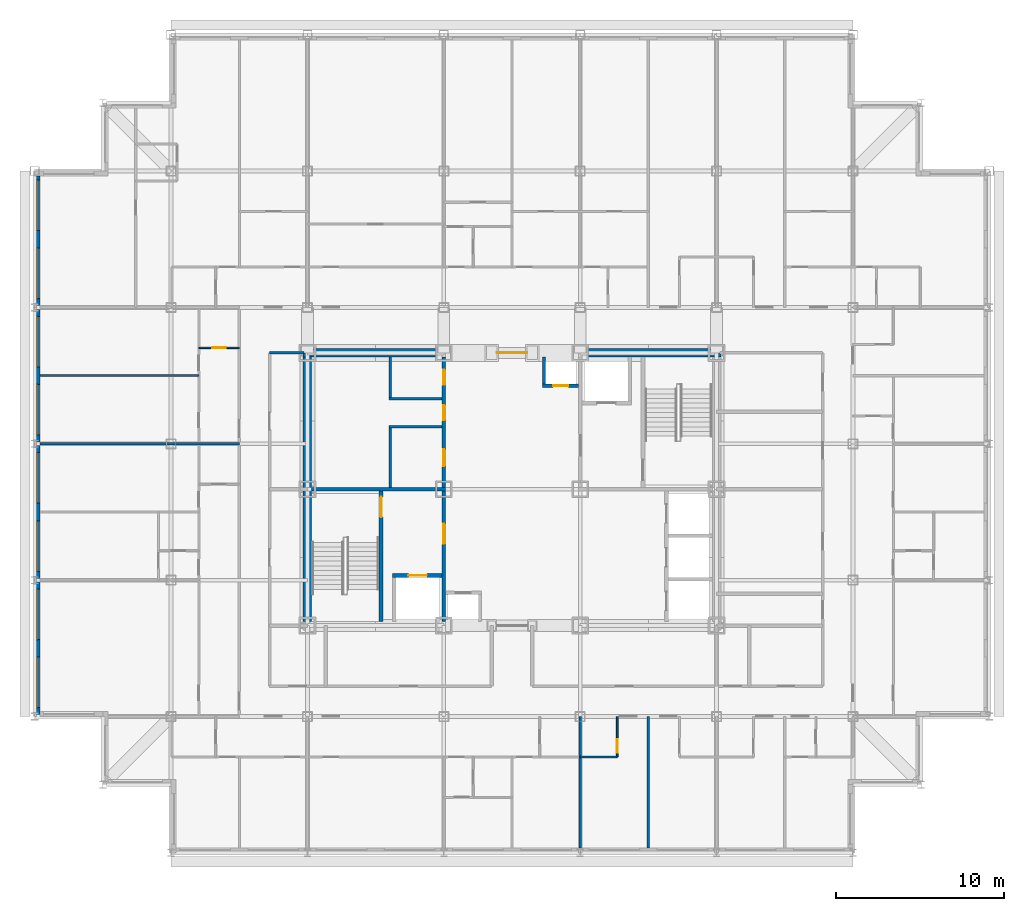
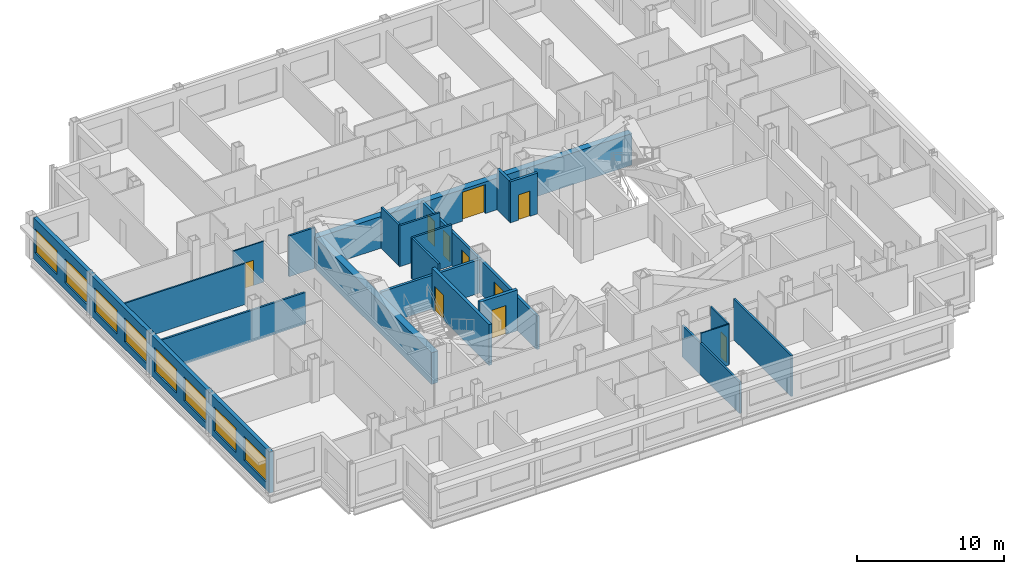
# One storey, part 6 of 12: 22 walls, 10 doors, 8 windows, 18 openings.
"""IFC4 building model written with IfcOpenShell, lengths in metres."""

from ifc_helpers import new_model, si_unit, direction, frame, frame_2d, origin, place, context, subcontext, project, spatial, rectangle, extrude, material, layer, layer_set, type_object, element, fill, save


model = new_model("IFC4")

# Units and contexts
model_context = context("Model", 3, precision=1e-05, world=origin(), true_north=direction((0.0, 1.0)))
body_context = subcontext(model_context, "Body", "Model", "MODEL_VIEW")
ifc_project = project(units=[si_unit("LENGTHUNIT", "METRE"), si_unit("AREAUNIT", "SQUARE_METRE"), si_unit("VOLUMEUNIT", "CUBIC_METRE"), si_unit("PLANEANGLEUNIT", "RADIAN"), si_unit("MASSUNIT", "GRAM", prefix="KILO")], contexts=[model_context])

# Site, building, storey
site_placement = place(None, origin())
site = spatial("IfcSite", under=ifc_project, at=site_placement, CompositionType="ELEMENT")
building_placement = place(site_placement, origin())
building = spatial("IfcBuilding", under=site, at=building_placement, Name="Kopane Lantern Tower", CompositionType="ELEMENT")
storey_placement = place(building_placement, frame((0.0, 0.0, 220.800048828125)))
storey = spatial("IfcBuildingStorey", under=building, at=storey_placement, Name="L57", CompositionType="ELEMENT", Elevation=220.800048828125)

# Walls
ifc_material_1 = material(Name="Gypsum board on steel studs", Category="steel")
ifc_layer_1 = layer(ifc_material_1, 0.1201171875)
ifc_layer_set_1 = layer_set([ifc_layer_1], Name="APARTMENT INTERNAL WALL 120")
wall_type_1 = type_object("IfcWallType", Name="APARTMENT INTERNAL WALL 120", PredefinedType="PARTITIONING", material=ifc_layer_set_1)
wall_1_placement = place(storey_placement, frame((9.75, 39.14990234375, 0.0), z_axis=(0.0, 0.0, 1.0), x_axis=(-1.0, 0.0, 0.0)))
element("IfcWall", 1, at=wall_1_placement, inside=storey, type_object=wall_type_1, Name="Apartment Internal Wall 120 L57", PredefinedType="PARTITIONING", context=body_context, shape_type="SweptSolid", body=[
    extrude(rectangle(XDim=9.449951171875, YDim=0.1201171875, at=frame_2d((4.72509765625, 0.0))), origin(), (0.0, 0.0, 1.0), 3.389892578125),
])
ifc_material_2 = material(Name="Moisture-resistant board on steel studs", Category="steel")
ifc_layer_2 = layer(ifc_material_2, 0.10009765625)
ifc_layer_set_2 = layer_set([ifc_layer_2], Name="BATHROOM WALL 100")
wall_type_2 = type_object("IfcWallType", Name="BATHROOM WALL 100", PredefinedType="PARTITIONING", material=ifc_layer_set_2)
wall_2_placement = place(storey_placement, frame((32.39990234375, 16.5, 0.0), z_axis=(0.0, 0.0, 1.0), x_axis=(1.0, 0.0, 0.0)))
element("IfcWall", 2, at=wall_2_placement, inside=storey, type_object=wall_type_2, Name="Bathroom Wall 100 L57", PredefinedType="PARTITIONING", context=body_context, shape_type="SweptSolid", body=[
    extrude(rectangle(XDim=2.2001953125, YDim=0.10009765625, at=frame_2d((1.10009765625, 0.0))), origin(), (0.0, 0.0, 1.0), 3.389892578125),
])

# Wall, opening, door
wall_3_placement = place(storey_placement, frame((34.60009765625, 18.89990234375, 0.0), z_axis=(0.0, 0.0, 1.0), x_axis=(0.0, -1.0, 0.0)))
wall_3 = element("IfcWall", 3, at=wall_3_placement, inside=storey, type_object=wall_type_2, Name="Bathroom Wall 100 L57", PredefinedType="PARTITIONING", context=body_context, shape_type="SweptSolid", body=[
    extrude(rectangle(XDim=2.39990234375, YDim=0.10009765625, at=frame_2d((1.199951171875, 0.0))), origin(), (0.0, 0.0, 1.0), 3.389892578125),
])
opening_1_placement = place(wall_3_placement, frame((1.35009765625, 0.0, 0.0)))
opening_1 = element("IfcOpeningElement", 4, at=opening_1_placement, cuts=wall_3, Name="Opening L57-018", PredefinedType="OPENING", context=body_context, shape_type="SweptSolid", body=[
    extrude(rectangle(XDim=0.800048828125, YDim=2.10009765625, at=frame_2d((0.39990234375, 1.050048828125))), frame((0.0, 0.06005859375, 0.0), z_axis=(0.0, -1.0, 0.0), x_axis=(1.0, 0.0, 0.0)), (0.0, 0.0, 1.0), 0.1201171875),
])
ifc_material_3 = material(Name="Timber door set", Category="wood")
door_type_1 = type_object("IfcDoorType", Name="DOOR D2 800x2100", OperationType="SINGLE_SWING_LEFT", PredefinedType="DOOR", material=ifc_material_3)
door_1_placement = place(opening_1_placement, origin())
door_1 = element("IfcDoor", 5, at=door_1_placement, inside=storey, type_object=door_type_1, Name="Door L57-018", OperationType="SINGLE_SWING_LEFT", OverallHeight=2.10009765625, OverallWidth=0.800048828125, PredefinedType="DOOR", context=body_context, shape_type="SweptSolid", body=[
    extrude(rectangle(XDim=0.800048828125, YDim=2.10009765625, at=frame_2d((0.39990234375, 1.050048828125))), frame((0.0, 0.02490234375, 0.0), z_axis=(0.0, -1.0, 0.0), x_axis=(1.0, 0.0, 0.0)), (0.0, 0.0, 1.0), 0.050048828125),
])
fill(opening_1, door_1)

wall_4_placement = place(storey_placement, frame((12.14990234375, 40.800048828125, 0.0), z_axis=(0.0, 0.0, 1.0), x_axis=(-1.0, 0.0, 0.0)))
wall_4 = element("IfcWall", 6, at=wall_4_placement, inside=storey, type_object=wall_type_2, Name="Bathroom Wall 100 L57", PredefinedType="PARTITIONING", context=body_context, shape_type="SweptSolid", body=[
    extrude(rectangle(XDim=2.39990234375, YDim=0.10009765625, at=frame_2d((1.199951171875, 0.0))), origin(), (0.0, 0.0, 1.0), 3.389892578125),
])
opening_2_placement = place(wall_4_placement, frame((0.800048828125, 0.0, 0.0)))
opening_2 = element("IfcOpeningElement", 7, at=opening_2_placement, cuts=wall_4, Name="Opening L57-041", PredefinedType="OPENING", context=body_context, shape_type="SweptSolid", body=[
    extrude(rectangle(XDim=0.800048828125, YDim=2.10009765625, at=frame_2d((0.39990234375, 1.050048828125))), frame((0.0, 0.06005859375, 0.0), z_axis=(0.0, -1.0, 0.0), x_axis=(1.0, 0.0, 0.0)), (0.0, 0.0, 1.0), 0.1201171875),
])
door_2_placement = place(opening_2_placement, origin())
door_2 = element("IfcDoor", 8, at=door_2_placement, inside=storey, type_object=door_type_1, Name="Door L57-041", OperationType="SINGLE_SWING_RIGHT", OverallHeight=2.10009765625, OverallWidth=0.800048828125, PredefinedType="DOOR", context=body_context, shape_type="SweptSolid", body=[
    extrude(rectangle(XDim=0.800048828125, YDim=2.10009765625, at=frame_2d((0.39990234375, 1.050048828125))), frame((0.0, 0.02490234375, 0.0), z_axis=(0.0, -1.0, 0.0), x_axis=(1.0, 0.0, 0.0)), (0.0, 0.0, 1.0), 0.050048828125),
])
fill(opening_2, door_2)

ifc_material_4 = material(Name="Gypsum shaft wall EI 120", Category="gypsum")
ifc_layer_3 = layer(ifc_material_4, 0.5)
ifc_layer_set_3 = layer_set([ifc_layer_3], Name="CORE PERIMETER WALL 500 EI 120")
wall_type_3 = type_object("IfcWallType", Name="CORE PERIMETER WALL 500 EI 120", PredefinedType="SOLIDWALL", material=ifc_layer_set_3)
wall_5_placement = place(storey_placement, frame((15.949951171875, 40.5, 0.0), z_axis=(0.0, 0.0, 1.0), x_axis=(1.0, 0.0, 0.0)))
wall_5 = element("IfcWall", 9, at=wall_5_placement, inside=storey, type_object=wall_type_3, Name="Core shaft wall L57 PN", PredefinedType="SOLIDWALL", context=body_context, shape_type="SweptSolid", body=[
    extrude(rectangle(XDim=24.800048828125, YDim=0.5, at=frame_2d((12.39990234375, 0.0))), origin(), (0.0, 0.0, 1.0), 2.627685546875),
])
opening_3_placement = place(wall_5_placement, frame((11.5, 0.0, 0.0)))
opening_3 = element("IfcOpeningElement", 10, at=opening_3_placement, cuts=wall_5, Name="Opening 57.CE-N", PredefinedType="OPENING", context=body_context, shape_type="SweptSolid", body=[
    extrude(rectangle(XDim=1.800048828125, YDim=2.39990234375, at=frame_2d((0.89990234375, 1.199951171875))), frame((0.0, 0.260009765625, 0.0), z_axis=(0.0, -1.0, 0.0), x_axis=(1.0, 0.0, 0.0)), (0.0, 0.0, 1.0), 0.52001953125),
])
ifc_material_5 = material(Name="Steel door set", Category="steel")
door_type_2 = type_object("IfcDoorType", Name="CORE ENTRY DOOR 1800x2400 FD60S", OperationType="DOUBLE_DOOR_SINGLE_SWING", PredefinedType="DOOR", material=ifc_material_5)
door_3_placement = place(opening_3_placement, origin())
door_3 = element("IfcDoor", 11, at=door_3_placement, inside=storey, type_object=door_type_2, Name="Core entry door L57 north", OperationType="DOUBLE_DOOR_SINGLE_SWING", OverallHeight=2.39990234375, OverallWidth=1.800048828125, PredefinedType="DOOR", context=body_context, shape_type="SweptSolid", body=[
    extrude(rectangle(XDim=1.800048828125, YDim=2.39990234375, at=frame_2d((0.89990234375, 1.199951171875))), frame((0.0, 0.02490234375, 0.0), z_axis=(0.0, -1.0, 0.0), x_axis=(1.0, 0.0, 0.0)), (0.0, 0.0, 1.0), 0.050048828125),
])
fill(opening_3, door_3)

# Walls
wall_6_placement = place(storey_placement, frame((16.199951171875, 24.550048828125, 0.0), z_axis=(0.0, 0.0, 1.0), x_axis=(0.0, 1.0, 0.0)))
element("IfcWall", 12, at=wall_6_placement, inside=storey, type_object=wall_type_3, Name="Core shaft wall L57 PW", PredefinedType="SOLIDWALL", context=body_context, shape_type="SweptSolid", body=[
    extrude(rectangle(XDim=15.699951171875, YDim=0.5, at=frame_2d((7.85009765625, 0.0))), origin(), (0.0, 0.0, 1.0), 2.627685546875),
])
ifc_material_6 = material(Name="Gypsum partition EI 60", Category="gypsum")
ifc_layer_4 = layer(ifc_material_6, 0.14990234375)
ifc_layer_set_4 = layer_set([ifc_layer_4], Name="CORE ROOM PARTITION 150 EI 60")
wall_type_4 = type_object("IfcWallType", Name="CORE ROOM PARTITION 150 EI 60", PredefinedType="PARTITIONING", material=ifc_layer_set_4)
for number, where, z_axis, x_axis, name in (
    (13, (21.050048828125, 36.125, 0.0), (0.0, 0.0, 1.0), (1.0, 0.0, 0.0), "Core room partition L57 WW1"),
    (14, (21.050048828125, 37.77490234375, 0.0), (0.0, 0.0, 1.0), (1.0, 0.0, 0.0), "Core room partition L57 WW2"),
):
    element("IfcWall", number, at=place(storey_placement, frame(where, z_axis=z_axis, x_axis=x_axis)), inside=storey, type_object=wall_type_4, Name=name, PredefinedType="PARTITIONING", context=body_context, shape_type="SweptSolid", body=[
        extrude(rectangle(XDim=3.14990234375, YDim=0.14990234375, at=frame_2d((1.574951171875, 0.0))), origin(), (0.0, 0.0, 1.0), 3.389892578125),
    ])
wall_7_placement = place(storey_placement, frame((21.125, 32.5, 0.0), z_axis=(0.0, 0.0, 1.0), x_axis=(0.0, 1.0, 0.0)))
element("IfcWall", 15, at=wall_7_placement, inside=storey, type_object=wall_type_4, Name="Core room partition L57 WWB0", PredefinedType="PARTITIONING", context=body_context, shape_type="SweptSolid", body=[
    extrude(rectangle(XDim=3.550048828125, YDim=0.14990234375, at=frame_2d((1.77490234375, 0.0))), origin(), (0.0, 0.0, 1.0), 3.389892578125),
])
wall_8_placement = place(storey_placement, frame((21.125, 37.85009765625, 0.0), z_axis=(0.0, 0.0, 1.0), x_axis=(0.0, 1.0, 0.0)))
element("IfcWall", 16, at=wall_8_placement, inside=storey, type_object=wall_type_4, Name="Core room partition L57 WWB1", PredefinedType="PARTITIONING", context=body_context, shape_type="SweptSolid", body=[
    extrude(rectangle(XDim=2.39990234375, YDim=0.14990234375, at=frame_2d((1.199951171875, 0.0))), origin(), (0.0, 0.0, 1.0), 3.389892578125),
])

# Wall, openings, doors
ifc_material_7 = material(Name="Gypsum partition EI 60", Category="gypsum")
ifc_layer_5 = layer(ifc_material_7, 0.199951171875)
ifc_layer_set_5 = layer_set([ifc_layer_5], Name="CORE ROOM WALL 200 EI 60")
wall_type_5 = type_object("IfcWallType", Name="CORE ROOM WALL 200 EI 60", PredefinedType="PARTITIONING", material=ifc_layer_set_5)
wall_9_placement = place(storey_placement, frame((24.300048828125, 32.5, 0.0), z_axis=(0.0, 0.0, 1.0), x_axis=(0.0, 1.0, 0.0)))
wall_9 = element("IfcWall", 17, at=wall_9_placement, inside=storey, type_object=wall_type_5, Name="Core room wall L57 XW", PredefinedType="PARTITIONING", context=body_context, shape_type="SweptSolid", body=[
    extrude(rectangle(XDim=7.75, YDim=0.199951171875, at=frame_2d((3.875, 0.0))), origin(), (0.0, 0.0, 1.0), 2.77783203125),
])
opening_4_placement = place(wall_9_placement, frame((1.27490234375, 0.0, 0.0)))
opening_4 = element("IfcOpeningElement", 18, at=opening_4_placement, cuts=wall_9, Name="Opening 57.C30", PredefinedType="OPENING", context=body_context, shape_type="SweptSolid", body=[
    extrude(rectangle(XDim=1.0, YDim=2.10009765625, at=frame_2d((0.5, 1.050048828125))), frame((0.0, 0.10986328125, 0.0), z_axis=(0.0, -1.0, 0.0), x_axis=(1.0, 0.0, 0.0)), (0.0, 0.0, 1.0), 0.219970703125),
])
opening_5_placement = place(wall_9_placement, frame((4.0, 0.0, 0.0)))
opening_5 = element("IfcOpeningElement", 19, at=opening_5_placement, cuts=wall_9, Name="Opening 57.C31", PredefinedType="OPENING", context=body_context, shape_type="SweptSolid", body=[
    extrude(rectangle(XDim=0.89990234375, YDim=2.10009765625, at=frame_2d((0.449951171875, 1.050048828125))), frame((0.0, 0.10986328125, 0.0), z_axis=(0.0, -1.0, 0.0), x_axis=(1.0, 0.0, 0.0)), (0.0, 0.0, 1.0), 0.219970703125),
])
opening_6_placement = place(wall_9_placement, frame((6.10009765625, 0.0, 0.0)))
opening_6 = element("IfcOpeningElement", 20, at=opening_6_placement, cuts=wall_9, Name="Opening 57.C32", PredefinedType="OPENING", context=body_context, shape_type="SweptSolid", body=[
    extrude(rectangle(XDim=0.89990234375, YDim=2.10009765625, at=frame_2d((0.449951171875, 1.050048828125))), frame((0.0, 0.10986328125, 0.0), z_axis=(0.0, -1.0, 0.0), x_axis=(1.0, 0.0, 0.0)), (0.0, 0.0, 1.0), 0.219970703125),
])
ifc_material_8 = material(Name="Steel door set", Category="steel")
door_type_3 = type_object("IfcDoorType", Name="CORE ROOM DOOR 1000x2100 FD30S", OperationType="SINGLE_SWING_RIGHT", PredefinedType="DOOR", material=ifc_material_8)
door_4_placement = place(opening_4_placement, origin())
door_4 = element("IfcDoor", 21, at=door_4_placement, inside=storey, type_object=door_type_3, Name="Door Parcel room L57", OperationType="SINGLE_SWING_LEFT", OverallHeight=2.10009765625, OverallWidth=1.0, PredefinedType="DOOR", context=body_context, shape_type="SweptSolid", body=[
    extrude(rectangle(XDim=1.0, YDim=2.10009765625, at=frame_2d((0.5, 1.050048828125))), frame((0.0, 0.02490234375, 0.0), z_axis=(0.0, -1.0, 0.0), x_axis=(1.0, 0.0, 0.0)), (0.0, 0.0, 1.0), 0.050048828125),
])
fill(opening_4, door_4)
ifc_material_9 = material(Name="Steel door set", Category="steel")
door_type_4 = type_object("IfcDoorType", Name="CORE ROOM DOOR 900x2100 FD60", OperationType="SINGLE_SWING_LEFT", PredefinedType="DOOR", material=ifc_material_9)
door_5_placement = place(opening_5_placement, origin())
door_5 = element("IfcDoor", 22, at=door_5_placement, inside=storey, type_object=door_type_4, Name="Door Residents storage L57", OperationType="SINGLE_SWING_RIGHT", OverallHeight=2.10009765625, OverallWidth=0.89990234375, PredefinedType="DOOR", context=body_context, shape_type="SweptSolid", body=[
    extrude(rectangle(XDim=0.89990234375, YDim=2.10009765625, at=frame_2d((0.449951171875, 1.050048828125))), frame((0.0, 0.02490234375, 0.0), z_axis=(0.0, -1.0, 0.0), x_axis=(1.0, 0.0, 0.0)), (0.0, 0.0, 1.0), 0.050048828125),
])
fill(opening_5, door_5)
door_6_placement = place(opening_6_placement, origin())
door_6 = element("IfcDoor", 23, at=door_6_placement, inside=storey, type_object=door_type_4, Name="Door IT room L57", OperationType="SINGLE_SWING_LEFT", OverallHeight=2.10009765625, OverallWidth=0.89990234375, PredefinedType="DOOR", context=body_context, shape_type="SweptSolid", body=[
    extrude(rectangle(XDim=0.89990234375, YDim=2.10009765625, at=frame_2d((0.449951171875, 1.050048828125))), frame((0.0, 0.02490234375, 0.0), z_axis=(0.0, -1.0, 0.0), x_axis=(1.0, 0.0, 0.0)), (0.0, 0.0, 1.0), 0.050048828125),
])
fill(opening_6, door_6)

# Wall, opening, door
ifc_material_10 = material(Name="Gypsum shaft wall EI 120", Category="gypsum")
ifc_layer_6 = layer(ifc_material_10, 0.25)
ifc_layer_set_6 = layer_set([ifc_layer_6], Name="CORE SHAFT WALL 250 EI 120")
wall_type_6 = type_object("IfcWallType", Name="CORE SHAFT WALL 250 EI 120", PredefinedType="SOLIDWALL", material=ifc_layer_set_6)
wall_10_placement = place(storey_placement, frame((20.574951171875, 24.550048828125, 0.0), z_axis=(0.0, 0.0, 1.0), x_axis=(0.0, 1.0, 0.0)))
wall_10 = element("IfcWall", 24, at=wall_10_placement, inside=storey, type_object=wall_type_6, Name="Core shaft wall L57 XST1", PredefinedType="SOLIDWALL", context=body_context, shape_type="SweptSolid", body=[
    extrude(rectangle(XDim=7.75, YDim=0.25, at=frame_2d((3.875, 0.0))), origin(), (0.0, 0.0, 1.0), 3.389892578125),
])
opening_7_placement = place(wall_10_placement, frame((6.199951171875, 0.0, 0.0)))
opening_7 = element("IfcOpeningElement", 25, at=opening_7_placement, cuts=wall_10, Name="Opening 57.SD1", PredefinedType="OPENING", context=body_context, shape_type="SweptSolid", body=[
    extrude(rectangle(XDim=1.199951171875, YDim=2.10009765625, at=frame_2d((0.60009765625, 1.050048828125))), frame((0.0, 0.135009765625, 0.0), z_axis=(0.0, -1.0, 0.0), x_axis=(1.0, 0.0, 0.0)), (0.0, 0.0, 1.0), 0.27001953125),
])
ifc_material_11 = material(Name="Steel door set", Category="steel")
door_type_5 = type_object("IfcDoorType", Name="STAIR DOOR 1200x2100 FD60S", OperationType="SINGLE_SWING_LEFT", PredefinedType="DOOR", material=ifc_material_11)
door_7_placement = place(opening_7_placement, origin())
door_7 = element("IfcDoor", 26, at=door_7_placement, inside=storey, type_object=door_type_5, Name="Stair door ST1 L57", OperationType="SINGLE_SWING_LEFT", OverallHeight=2.10009765625, OverallWidth=1.199951171875, PredefinedType="DOOR", context=body_context, shape_type="SweptSolid", body=[
    extrude(rectangle(XDim=1.199951171875, YDim=2.10009765625, at=frame_2d((0.60009765625, 1.050048828125))), frame((0.0, 0.02490234375, 0.0), z_axis=(0.0, -1.0, 0.0), x_axis=(1.0, 0.0, 0.0)), (0.0, 0.0, 1.0), 0.050048828125),
])
fill(opening_7, door_7)

wall_11_placement = place(storey_placement, frame((21.25, 27.27490234375, 0.0), z_axis=(0.0, 0.0, 1.0), x_axis=(1.0, 0.0, 0.0)))
wall_11 = element("IfcWall", 27, at=wall_11_placement, inside=storey, type_object=wall_type_6, Name="Core shaft wall L57 YLF1", PredefinedType="SOLIDWALL", context=body_context, shape_type="SweptSolid", body=[
    extrude(rectangle(XDim=2.949951171875, YDim=0.25, at=frame_2d((1.47509765625, 0.0))), origin(), (0.0, 0.0, 1.0), 3.389892578125),
])
opening_8_placement = place(wall_11_placement, frame((0.949951171875, 0.0, 0.0)))
opening_8 = element("IfcOpeningElement", 28, at=opening_8_placement, cuts=wall_11, Name="Opening 57.LD-LF1", PredefinedType="OPENING", context=body_context, shape_type="SweptSolid", body=[
    extrude(rectangle(XDim=1.10009765625, YDim=2.39990234375, at=frame_2d((0.550048828125, 1.199951171875))), frame((0.0, 0.135009765625, 0.0), z_axis=(0.0, -1.0, 0.0), x_axis=(1.0, 0.0, 0.0)), (0.0, 0.0, 1.0), 0.27001953125),
])
ifc_material_12 = material(Name="Steel door set", Category="steel")
door_type_6 = type_object("IfcDoorType", Name="LIFT LANDING DOOR 1100x2400 FD60", OperationType="DOUBLE_DOOR_SLIDING", PredefinedType="DOOR", material=ifc_material_12)
door_8_placement = place(opening_8_placement, origin())
door_8 = element("IfcDoor", 29, at=door_8_placement, inside=storey, type_object=door_type_6, Name="Landing door LF1 L57", OperationType="DOUBLE_DOOR_SLIDING", OverallHeight=2.39990234375, OverallWidth=1.10009765625, PredefinedType="DOOR", context=body_context, shape_type="SweptSolid", body=[
    extrude(rectangle(XDim=1.10009765625, YDim=2.39990234375, at=frame_2d((0.550048828125, 1.199951171875))), frame((0.0, 0.02490234375, 0.0), z_axis=(0.0, -1.0, 0.0), x_axis=(1.0, 0.0, 0.0)), (0.0, 0.0, 1.0), 0.050048828125),
])
fill(opening_8, door_8)

# Walls
ifc_material_13 = material(Name="Gypsum board on steel studs", Category="steel")
ifc_layer_7 = layer(ifc_material_13, 0.14990234375)
ifc_layer_set_7 = layer_set([ifc_layer_7], Name="CORRIDOR WALL 150 EI 60")
wall_type_7 = type_object("IfcWallType", Name="CORRIDOR WALL 150 EI 60", PredefinedType="PARTITIONING", material=ifc_layer_set_7)
wall_12_placement = place(storey_placement, frame((16.0, 40.5, 0.0), z_axis=(0.0, 0.0, 1.0), x_axis=(-1.0, 0.0, 0.0)))
element("IfcWall", 30, at=wall_12_placement, inside=storey, type_object=wall_type_7, Name="Corridor Wall 150 Ei 60 L57", PredefinedType="PARTITIONING", context=body_context, shape_type="SweptSolid", body=[
    extrude(rectangle(XDim=2.050048828125, YDim=0.14990234375, at=frame_2d((1.02490234375, 0.0))), origin(), (0.0, 0.0, 1.0), 3.389892578125),
])
ifc_material_14 = material(Name="Gypsum board on steel studs", Category="steel")
ifc_layer_8 = layer(ifc_material_14, 0.14990234375)
ifc_layer_set_8 = layer_set([ifc_layer_8], Name="DEMISING WALL 150 EI 60")
wall_type_8 = type_object("IfcWallType", Name="DEMISING WALL 150 EI 60", PredefinedType="PARTITIONING", material=ifc_layer_set_8)
wall_13_placement = place(storey_placement, frame((32.39990234375, 18.89990234375, 0.0), z_axis=(0.0, 0.0, 1.0), x_axis=(0.0, -1.0, 0.0)))
element("IfcWall", 31, at=wall_13_placement, inside=storey, type_object=wall_type_8, Name="Demising Wall 150 Ei 60 L57", PredefinedType="PARTITIONING", context=body_context, shape_type="SweptSolid", body=[
    extrude(rectangle(XDim=7.7998046875, YDim=0.14990234375, at=frame_2d((3.89990234375, 0.0))), origin(), (0.0, 0.0, 1.0), 2.627685546875),
])
wall_14_placement = place(storey_placement, frame((36.449951171875, 18.89990234375, 0.0), z_axis=(0.0, 0.0, 1.0), x_axis=(0.0, -1.0, 0.0)))
element("IfcWall", 32, at=wall_14_placement, inside=storey, type_object=wall_type_8, Name="Demising Wall 150 Ei 60 L57", PredefinedType="PARTITIONING", context=body_context, shape_type="SweptSolid", body=[
    extrude(rectangle(XDim=7.7998046875, YDim=0.14990234375, at=frame_2d((3.89990234375, 0.0))), origin(), (0.0, 0.0, 1.0), 3.389892578125),
])
wall_15_placement = place(storey_placement, frame((12.14990234375, 35.10009765625, 0.0), z_axis=(0.0, 0.0, 1.0), x_axis=(-1.0, 0.0, 0.0)))
element("IfcWall", 33, at=wall_15_placement, inside=storey, type_object=wall_type_8, Name="Demising Wall 150 Ei 60 L57", PredefinedType="PARTITIONING", context=body_context, shape_type="SweptSolid", body=[
    extrude(rectangle(XDim=11.849853515625, YDim=0.14990234375, at=frame_2d((5.9248046875, 0.0))), origin(), (0.0, 0.0, 1.0), 2.627685546875),
])

# Wall, openings, windows
ifc_material_15 = material(Name="Terracotta rainscreen on light steel framing", Category="masonry")
ifc_layer_9 = layer(ifc_material_15, 0.300048828125)
ifc_layer_set_9 = layer_set([ifc_layer_9], Name="EXTERNAL WALL EW1 300 TERRACOTTA")
wall_type_9 = type_object("IfcWallType", Name="EXTERNAL WALL EW1 300 TERRACOTTA", PredefinedType="SOLIDWALL", material=ifc_layer_set_9)
wall_16_placement = place(storey_placement, frame((0.14990234375, 51.0, 0.0), z_axis=(0.0, 0.0, 1.0), x_axis=(0.0, -1.0, 0.0)))
wall_16 = element("IfcWall", 34, at=wall_16_placement, inside=storey, type_object=wall_type_9, Name="External wall W L57", PredefinedType="SOLIDWALL", context=body_context, shape_type="SweptSolid", body=[
    extrude(rectangle(XDim=32.10009765625, YDim=0.300048828125, at=frame_2d((16.050048828125, 0.0))), origin(), (0.0, 0.0, 1.0), 3.389892578125),
])
opening_9_placement = place(wall_16_placement, frame((0.22509765625, 0.0, 0.60009765625)))
opening_9 = element("IfcOpeningElement", 35, at=opening_9_placement, cuts=wall_16, Name="Opening WR300200", PredefinedType="OPENING", context=body_context, shape_type="SweptSolid", body=[
    extrude(rectangle(XDim=3.0, YDim=2.0, at=frame_2d((1.5, 1.0))), frame((0.0, 0.159912109375, 0.0), z_axis=(0.0, -1.0, 0.0), x_axis=(1.0, 0.0, 0.0)), (0.0, 0.0, 1.0), 0.320068359375),
])
opening_10_placement = place(wall_16_placement, frame((4.27490234375, 0.0, 0.60009765625)))
opening_10 = element("IfcOpeningElement", 36, at=opening_10_placement, cuts=wall_16, Name="Opening WR300200", PredefinedType="OPENING", context=body_context, shape_type="SweptSolid", body=[
    extrude(rectangle(XDim=3.0, YDim=2.0, at=frame_2d((1.5, 1.0))), frame((0.0, 0.159912109375, 0.0), z_axis=(0.0, -1.0, 0.0), x_axis=(1.0, 0.0, 0.0)), (0.0, 0.0, 1.0), 0.320068359375),
])
opening_11_placement = place(wall_16_placement, frame((8.324951171875, 0.0, 0.60009765625)))
opening_11 = element("IfcOpeningElement", 37, at=opening_11_placement, cuts=wall_16, Name="Opening WR300200", PredefinedType="OPENING", context=body_context, shape_type="SweptSolid", body=[
    extrude(rectangle(XDim=3.0, YDim=2.0, at=frame_2d((1.5, 1.0))), frame((0.0, 0.159912109375, 0.0), z_axis=(0.0, -1.0, 0.0), x_axis=(1.0, 0.0, 0.0)), (0.0, 0.0, 1.0), 0.320068359375),
])
opening_12_placement = place(wall_16_placement, frame((12.375, 0.0, 0.60009765625)))
opening_12 = element("IfcOpeningElement", 38, at=opening_12_placement, cuts=wall_16, Name="Opening WR300200", PredefinedType="OPENING", context=body_context, shape_type="SweptSolid", body=[
    extrude(rectangle(XDim=3.0, YDim=2.0, at=frame_2d((1.5, 1.0))), frame((0.0, 0.159912109375, 0.0), z_axis=(0.0, -1.0, 0.0), x_axis=(1.0, 0.0, 0.0)), (0.0, 0.0, 1.0), 0.320068359375),
])
opening_13_placement = place(wall_16_placement, frame((16.425048828125, 0.0, 0.60009765625)))
opening_13 = element("IfcOpeningElement", 39, at=opening_13_placement, cuts=wall_16, Name="Opening WR300200", PredefinedType="OPENING", context=body_context, shape_type="SweptSolid", body=[
    extrude(rectangle(XDim=3.0, YDim=2.0, at=frame_2d((1.5, 1.0))), frame((0.0, 0.159912109375, 0.0), z_axis=(0.0, -1.0, 0.0), x_axis=(1.0, 0.0, 0.0)), (0.0, 0.0, 1.0), 0.320068359375),
])
opening_14_placement = place(wall_16_placement, frame((20.47509765625, 0.0, 0.60009765625)))
opening_14 = element("IfcOpeningElement", 40, at=opening_14_placement, cuts=wall_16, Name="Opening WR300200", PredefinedType="OPENING", context=body_context, shape_type="SweptSolid", body=[
    extrude(rectangle(XDim=3.0, YDim=2.0, at=frame_2d((1.5, 1.0))), frame((0.0, 0.159912109375, 0.0), z_axis=(0.0, -1.0, 0.0), x_axis=(1.0, 0.0, 0.0)), (0.0, 0.0, 1.0), 0.320068359375),
])
opening_15_placement = place(wall_16_placement, frame((24.52490234375, 0.0, 0.60009765625)))
opening_15 = element("IfcOpeningElement", 41, at=opening_15_placement, cuts=wall_16, Name="Opening WR300200", PredefinedType="OPENING", context=body_context, shape_type="SweptSolid", body=[
    extrude(rectangle(XDim=3.0, YDim=2.0, at=frame_2d((1.5, 1.0))), frame((0.0, 0.159912109375, 0.0), z_axis=(0.0, -1.0, 0.0), x_axis=(1.0, 0.0, 0.0)), (0.0, 0.0, 1.0), 0.320068359375),
])
opening_16_placement = place(wall_16_placement, frame((28.574951171875, 0.0, 0.60009765625)))
opening_16 = element("IfcOpeningElement", 42, at=opening_16_placement, cuts=wall_16, Name="Opening WR300200", PredefinedType="OPENING", context=body_context, shape_type="SweptSolid", body=[
    extrude(rectangle(XDim=3.0, YDim=2.0, at=frame_2d((1.5, 1.0))), frame((0.0, 0.159912109375, 0.0), z_axis=(0.0, -1.0, 0.0), x_axis=(1.0, 0.0, 0.0)), (0.0, 0.0, 1.0), 0.320068359375),
])
ifc_material_16 = material(Name="Aluminium and clear glass", Category="aluminium")
window_type = type_object("IfcWindowType", Name="RIBBON WINDOW WR300200 3000x2000", PartitioningType="SINGLE_PANEL", PredefinedType="WINDOW", material=ifc_material_16)
window_1_placement = place(opening_9_placement, origin())
window_1 = element("IfcWindow", 43, at=window_1_placement, inside=storey, type_object=window_type, Name="Window W L57", OverallHeight=2.0, OverallWidth=3.0, PartitioningType="SINGLE_PANEL", PredefinedType="WINDOW", context=body_context, shape_type="SweptSolid", body=[
    extrude(rectangle(XDim=3.0, YDim=2.0, at=frame_2d((1.5, 1.0))), frame((0.0, 0.030029296875, 0.0), z_axis=(0.0, -1.0, 0.0), x_axis=(1.0, 0.0, 0.0)), (0.0, 0.0, 1.0), 0.06005859375),
])
fill(opening_9, window_1)
window_2_placement = place(opening_10_placement, origin())
window_2 = element("IfcWindow", 44, at=window_2_placement, inside=storey, type_object=window_type, Name="Window W L57", OverallHeight=2.0, OverallWidth=3.0, PartitioningType="SINGLE_PANEL", PredefinedType="WINDOW", context=body_context, shape_type="SweptSolid", body=[
    extrude(rectangle(XDim=3.0, YDim=2.0, at=frame_2d((1.5, 1.0))), frame((0.0, 0.030029296875, 0.0), z_axis=(0.0, -1.0, 0.0), x_axis=(1.0, 0.0, 0.0)), (0.0, 0.0, 1.0), 0.06005859375),
])
fill(opening_10, window_2)
window_3_placement = place(opening_11_placement, origin())
window_3 = element("IfcWindow", 45, at=window_3_placement, inside=storey, type_object=window_type, Name="Window W L57", OverallHeight=2.0, OverallWidth=3.0, PartitioningType="SINGLE_PANEL", PredefinedType="WINDOW", context=body_context, shape_type="SweptSolid", body=[
    extrude(rectangle(XDim=3.0, YDim=2.0, at=frame_2d((1.5, 1.0))), frame((0.0, 0.030029296875, 0.0), z_axis=(0.0, -1.0, 0.0), x_axis=(1.0, 0.0, 0.0)), (0.0, 0.0, 1.0), 0.06005859375),
])
fill(opening_11, window_3)
window_4_placement = place(opening_12_placement, origin())
window_4 = element("IfcWindow", 46, at=window_4_placement, inside=storey, type_object=window_type, Name="Window W L57", OverallHeight=2.0, OverallWidth=3.0, PartitioningType="SINGLE_PANEL", PredefinedType="WINDOW", context=body_context, shape_type="SweptSolid", body=[
    extrude(rectangle(XDim=3.0, YDim=2.0, at=frame_2d((1.5, 1.0))), frame((0.0, 0.030029296875, 0.0), z_axis=(0.0, -1.0, 0.0), x_axis=(1.0, 0.0, 0.0)), (0.0, 0.0, 1.0), 0.06005859375),
])
fill(opening_12, window_4)
window_5_placement = place(opening_13_placement, origin())
window_5 = element("IfcWindow", 47, at=window_5_placement, inside=storey, type_object=window_type, Name="Window W L57", OverallHeight=2.0, OverallWidth=3.0, PartitioningType="SINGLE_PANEL", PredefinedType="WINDOW", context=body_context, shape_type="SweptSolid", body=[
    extrude(rectangle(XDim=3.0, YDim=2.0, at=frame_2d((1.5, 1.0))), frame((0.0, 0.030029296875, 0.0), z_axis=(0.0, -1.0, 0.0), x_axis=(1.0, 0.0, 0.0)), (0.0, 0.0, 1.0), 0.06005859375),
])
fill(opening_13, window_5)
window_6_placement = place(opening_14_placement, origin())
window_6 = element("IfcWindow", 48, at=window_6_placement, inside=storey, type_object=window_type, Name="Window W L57", OverallHeight=2.0, OverallWidth=3.0, PartitioningType="SINGLE_PANEL", PredefinedType="WINDOW", context=body_context, shape_type="SweptSolid", body=[
    extrude(rectangle(XDim=3.0, YDim=2.0, at=frame_2d((1.5, 1.0))), frame((0.0, 0.030029296875, 0.0), z_axis=(0.0, -1.0, 0.0), x_axis=(1.0, 0.0, 0.0)), (0.0, 0.0, 1.0), 0.06005859375),
])
fill(opening_14, window_6)
window_7_placement = place(opening_15_placement, origin())
window_7 = element("IfcWindow", 49, at=window_7_placement, inside=storey, type_object=window_type, Name="Window W L57", OverallHeight=2.0, OverallWidth=3.0, PartitioningType="SINGLE_PANEL", PredefinedType="WINDOW", context=body_context, shape_type="SweptSolid", body=[
    extrude(rectangle(XDim=3.0, YDim=2.0, at=frame_2d((1.5, 1.0))), frame((0.0, 0.030029296875, 0.0), z_axis=(0.0, -1.0, 0.0), x_axis=(1.0, 0.0, 0.0)), (0.0, 0.0, 1.0), 0.06005859375),
])
fill(opening_15, window_7)
window_8_placement = place(opening_16_placement, origin())
window_8 = element("IfcWindow", 50, at=window_8_placement, inside=storey, type_object=window_type, Name="Window W L57", OverallHeight=2.0, OverallWidth=3.0, PartitioningType="SINGLE_PANEL", PredefinedType="WINDOW", context=body_context, shape_type="SweptSolid", body=[
    extrude(rectangle(XDim=3.0, YDim=2.0, at=frame_2d((1.5, 1.0))), frame((0.0, 0.030029296875, 0.0), z_axis=(0.0, -1.0, 0.0), x_axis=(1.0, 0.0, 0.0)), (0.0, 0.0, 1.0), 0.06005859375),
])
fill(opening_16, window_8)

# Wall
ifc_material_17 = material(Name="Gypsum shaft wall EI 120", Category="gypsum")
ifc_layer_10 = layer(ifc_material_17, 0.199951171875)
ifc_layer_set_10 = layer_set([ifc_layer_10], Name="SHAFT WALL 200 EI 120")
wall_type_10 = type_object("IfcWallType", Name="SHAFT WALL 200 EI 120", PredefinedType="SOLIDWALL", material=ifc_layer_set_10)
wall_17_placement = place(storey_placement, frame((16.449951171875, 32.39990234375, 0.0), z_axis=(0.0, 0.0, 1.0), x_axis=(1.0, 0.0, 0.0)))
element("IfcWall", 51, at=wall_17_placement, inside=storey, type_object=wall_type_10, Name="Core shaft wall L57 Y324W", PredefinedType="SOLIDWALL", context=body_context, shape_type="SweptSolid", body=[
    extrude(rectangle(XDim=7.949951171875, YDim=0.199951171875, at=frame_2d((3.97509765625, 0.0))), origin(), (0.0, 0.0, 1.0), 2.77783203125),
])

# Wall, opening, door
wall_18_placement = place(storey_placement, frame((24.300048828125, 24.550048828125, 0.0), z_axis=(0.0, 0.0, 1.0), x_axis=(0.0, 1.0, 0.0)))
wall_18 = element("IfcWall", 52, at=wall_18_placement, inside=storey, type_object=wall_type_10, Name="Core shaft wall L57 X243", PredefinedType="SOLIDWALL", context=body_context, shape_type="SweptSolid", body=[
    extrude(rectangle(XDim=7.75, YDim=0.199951171875, at=frame_2d((3.875, 0.0))), origin(), (0.0, 0.0, 1.0), 2.77783203125),
])
opening_17_placement = place(wall_18_placement, frame((4.60009765625, 0.0, 0.0)))
opening_17 = element("IfcOpeningElement", 53, at=opening_17_placement, cuts=wall_18, Name="Opening 57.FL1", PredefinedType="OPENING", context=body_context, shape_type="SweptSolid", body=[
    extrude(rectangle(XDim=1.199951171875, YDim=2.10009765625, at=frame_2d((0.60009765625, 1.050048828125))), frame((0.0, 0.10986328125, 0.0), z_axis=(0.0, -1.0, 0.0), x_axis=(1.0, 0.0, 0.0)), (0.0, 0.0, 1.0), 0.219970703125),
])
ifc_material_18 = material(Name="Steel door set", Category="steel")
door_type_7 = type_object("IfcDoorType", Name="FIREFIGHTING LOBBY DOOR 1200x2100 FD60S", OperationType="SINGLE_SWING_RIGHT", PredefinedType="DOOR", material=ifc_material_18)
door_9_placement = place(opening_17_placement, origin())
door_9 = element("IfcDoor", 54, at=door_9_placement, inside=storey, type_object=door_type_7, Name="Firefighting lobby door FL1 L57", OperationType="SINGLE_SWING_LEFT", OverallHeight=2.10009765625, OverallWidth=1.199951171875, PredefinedType="DOOR", context=body_context, shape_type="SweptSolid", body=[
    extrude(rectangle(XDim=1.199951171875, YDim=2.10009765625, at=frame_2d((0.60009765625, 1.050048828125))), frame((0.0, 0.02490234375, 0.0), z_axis=(0.0, -1.0, 0.0), x_axis=(1.0, 0.0, 0.0)), (0.0, 0.0, 1.0), 0.050048828125),
])
fill(opening_17, door_9)

# Wall
wall_19_placement = place(storey_placement, frame((30.25, 38.64990234375, 0.0), z_axis=(0.0, 0.0, 1.0), x_axis=(0.0, 1.0, 0.0)))
element("IfcWall", 55, at=wall_19_placement, inside=storey, type_object=wall_type_10, Name="Core shaft wall L57 XRS2", PredefinedType="SOLIDWALL", context=body_context, shape_type="SweptSolid", body=[
    extrude(rectangle(XDim=1.60009765625, YDim=0.199951171875, at=frame_2d((0.800048828125, 0.0))), origin(), (0.0, 0.0, 1.0), 3.389892578125),
])

# Wall, opening, door
wall_20_placement = place(storey_placement, frame((30.14990234375, 38.550048828125, 0.0), z_axis=(0.0, 0.0, 1.0), x_axis=(1.0, 0.0, 0.0)))
wall_20 = element("IfcWall", 56, at=wall_20_placement, inside=storey, type_object=wall_type_10, Name="Core shaft wall L57 YRS2", PredefinedType="SOLIDWALL", context=body_context, shape_type="SweptSolid", body=[
    extrude(rectangle(XDim=2.150146484375, YDim=0.199951171875, at=frame_2d((1.0751953125, 0.0))), origin(), (0.0, 0.0, 1.0), 3.389892578125),
])
opening_18_placement = place(wall_20_placement, frame((0.64990234375, 0.0, 0.0)))
opening_18 = element("IfcOpeningElement", 57, at=opening_18_placement, cuts=wall_20, Name="Opening 57.RS2", PredefinedType="OPENING", context=body_context, shape_type="SweptSolid", body=[
    extrude(rectangle(XDim=0.89990234375, YDim=2.10009765625, at=frame_2d((0.449951171875, 1.050048828125))), frame((0.0, 0.10986328125, 0.0), z_axis=(0.0, -1.0, 0.0), x_axis=(1.0, 0.0, 0.0)), (0.0, 0.0, 1.0), 0.219970703125),
])
ifc_material_19 = material(Name="Steel door set", Category="steel")
door_type_8 = type_object("IfcDoorType", Name="RISER ACCESS DOOR 900x2100 FD60", OperationType="SINGLE_SWING_LEFT", PredefinedType="DOOR", material=ifc_material_19)
door_10_placement = place(opening_18_placement, origin())
door_10 = element("IfcDoor", 58, at=door_10_placement, inside=storey, type_object=door_type_8, Name="Riser access door RS2 L57", OperationType="SINGLE_SWING_LEFT", OverallHeight=2.10009765625, OverallWidth=0.89990234375, PredefinedType="DOOR", context=body_context, shape_type="SweptSolid", body=[
    extrude(rectangle(XDim=0.89990234375, YDim=2.10009765625, at=frame_2d((0.449951171875, 1.050048828125))), frame((0.0, 0.02490234375, 0.0), z_axis=(0.0, -1.0, 0.0), x_axis=(1.0, 0.0, 0.0)), (0.0, 0.0, 1.0), 0.050048828125),
])
fill(opening_18, door_10)

save(model, "model.ifc")
